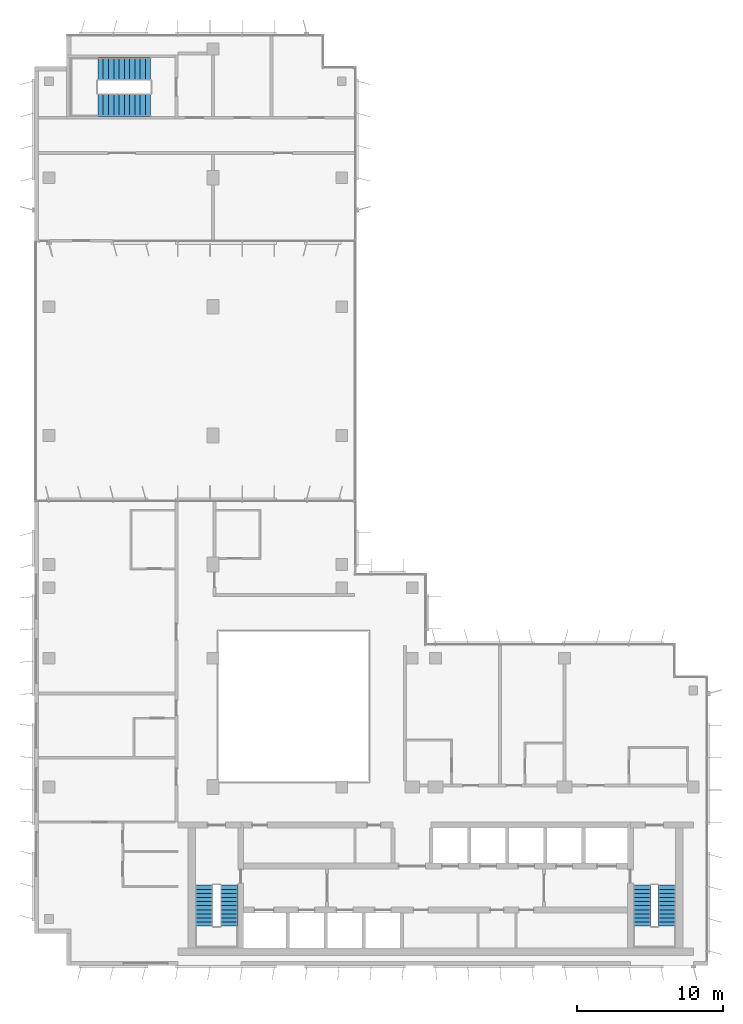
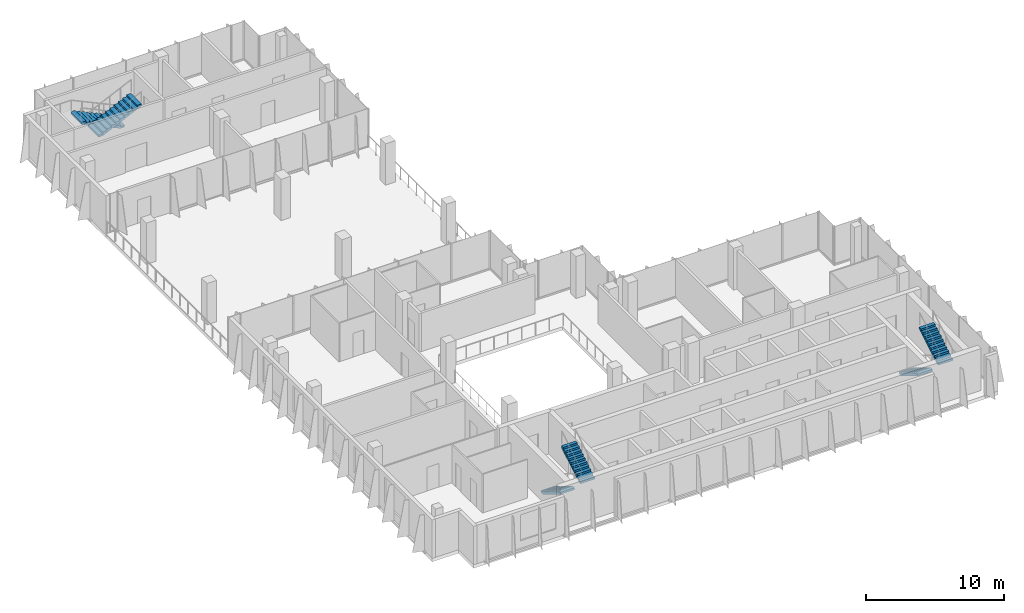
# One storey, part 12 of 15: 6 stair flights, 3 elements without a shape of their own.
"""IFC4 building model written with IfcOpenShell, lengths in metres."""

from ifc_helpers import new_model, si_unit, direction, frame, origin, place, context, subcontext, project, spatial, polyline, outline, extrude, material, type_object, element, aggregate, save


model = new_model("IFC4")

# Units and contexts
model_context = context("Model", 3, precision=1e-05, world=origin(), true_north=direction((0.0, 1.0)))
body_context = subcontext(model_context, "Body", "Model", "MODEL_VIEW")
ifc_project = project(units=[si_unit("LENGTHUNIT", "METRE"), si_unit("AREAUNIT", "SQUARE_METRE"), si_unit("VOLUMEUNIT", "CUBIC_METRE"), si_unit("PLANEANGLEUNIT", "RADIAN"), si_unit("MASSUNIT", "GRAM", prefix="KILO")], contexts=[model_context])

# Site, building, storey
site_placement = place(None, origin())
site = spatial("IfcSite", under=ifc_project, at=site_placement, CompositionType="ELEMENT")
building_placement = place(site_placement, origin())
building = spatial("IfcBuilding", under=site, at=building_placement, Name="Kemantara Hotel Tower", CompositionType="ELEMENT")
storey_placement = place(building_placement, frame((0.0, 0.0, 241.300048828125)))
storey = spatial("IfcBuildingStorey", under=building, at=storey_placement, Name="L60", CompositionType="ELEMENT", Elevation=241.300048828125)

# Stair, stair flights
ifc_material = material(Name="Concrete fc 40 MPa", Category="concrete")
stair_type_1 = type_object("IfcStairType", Name="Stair 1200 wide 22 risers of 168 x 280 mm", PredefinedType="HALF_TURN_STAIR", material=ifc_material)
stair_1_placement = place(storey_placement, origin())
stair_1 = element("IfcStair", 1, at=stair_1_placement, inside=storey, type_object=stair_type_1, Name="L60 Exit stair ST1", PredefinedType="HALF_TURN_STAIR")
stair_flight_type_1 = type_object("IfcStairFlightType", Name="Stair flight 1200 wide 168 x 280 mm", PredefinedType="STRAIGHT", material=ifc_material)
stair_flight_1_placement = place(storey_placement, frame((11.60009765625, 5.5, 0.0), z_axis=(0.0, 0.0, 1.0), x_axis=(0.0, -1.0, 0.0)))
stair_flight_1 = element("IfcStairFlight", 2, at=stair_flight_1_placement, type_object=stair_flight_type_1, Name="ST1 flight 1", NumberOfRisers=11, NumberOfTreads=10, PredefinedType="STRAIGHT", RiserHeight=0.168181818, TreadLength=0.28, context=body_context, shape_type="SweptSolid", body=[
    extrude(outline(polyline([(0.0, 0.0), (0.0, 0.168212890625), (0.280029296875, 0.168212890625), (0.280029296875, 0.33642578125), (0.56005859375, 0.33642578125), (0.56005859375, 0.504638671875), (0.840087890625, 0.504638671875), (0.840087890625, 0.672607421875), (1.1201171875, 0.672607421875), (1.1201171875, 0.8408203125), (1.39990234375, 0.8408203125), (1.39990234375, 1.009033203125), (1.679931640625, 1.009033203125), (1.679931640625, 1.17724609375), (1.9599609375, 1.17724609375), (1.9599609375, 1.345458984375), (2.239990234375, 1.345458984375), (2.239990234375, 1.513671875), (2.52001953125, 1.513671875), (2.52001953125, 1.681884765625), (2.800048828125, 1.681884765625), (2.800048828125, 1.85009765625), (2.800048828125, 1.5068359375), (0.291015625, 0.0), (0.0, 0.0)])), frame((0.0, 0.60009765625, 0.0), z_axis=(0.0, -1.0, 0.0), x_axis=(1.0, 0.0, 0.0)), (0.0, 0.0, 1.0), 1.199951171875),
])
stair_flight_2_placement = place(storey_placement, frame((13.300048828125, 2.699951171875, 1.849853515625), z_axis=(0.0, 0.0, 1.0), x_axis=(0.0, 1.0, 0.0)))
stair_flight_2 = element("IfcStairFlight", 3, at=stair_flight_2_placement, type_object=stair_flight_type_1, Name="ST1 flight 2", NumberOfRisers=11, NumberOfTreads=10, PredefinedType="STRAIGHT", RiserHeight=0.168181818, TreadLength=0.28, context=body_context, shape_type="SweptSolid", body=[
    extrude(outline(polyline([(0.0, 0.0), (0.0, 0.168212890625), (0.280029296875, 0.168212890625), (0.280029296875, 0.33642578125), (0.56005859375, 0.33642578125), (0.56005859375, 0.504638671875), (0.840087890625, 0.504638671875), (0.840087890625, 0.672607421875), (1.1201171875, 0.672607421875), (1.1201171875, 0.8408203125), (1.39990234375, 0.8408203125), (1.39990234375, 1.009033203125), (1.679931640625, 1.009033203125), (1.679931640625, 1.17724609375), (1.9599609375, 1.17724609375), (1.9599609375, 1.345458984375), (2.239990234375, 1.345458984375), (2.239990234375, 1.513671875), (2.52001953125, 1.513671875), (2.52001953125, 1.681884765625), (2.800048828125, 1.681884765625), (2.800048828125, 1.85009765625), (2.800048828125, 1.5068359375), (0.291015625, 0.0), (0.0, 0.0)])), frame((0.0, 0.60009765625, 0.0), z_axis=(0.0, -1.0, 0.0), x_axis=(1.0, 0.0, 0.0)), (0.0, 0.0, 1.0), 1.199951171875),
])
aggregate(stair_1, [stair_flight_1, stair_flight_2])

stair_2_placement = place(storey_placement, origin())
stair_2 = element("IfcStair", 4, at=stair_2_placement, inside=storey, type_object=stair_type_1, Name="L60 Exit stair ST2", PredefinedType="HALF_TURN_STAIR")
stair_flight_3_placement = place(storey_placement, frame((41.5, 5.5, 0.0), z_axis=(0.0, 0.0, 1.0), x_axis=(0.0, -1.0, 0.0)))
stair_flight_3 = element("IfcStairFlight", 5, at=stair_flight_3_placement, type_object=stair_flight_type_1, Name="ST2 flight 1", NumberOfRisers=11, NumberOfTreads=10, PredefinedType="STRAIGHT", RiserHeight=0.168181818, TreadLength=0.28, context=body_context, shape_type="SweptSolid", body=[
    extrude(outline(polyline([(0.0, 0.0), (0.0, 0.168212890625), (0.280029296875, 0.168212890625), (0.280029296875, 0.33642578125), (0.56005859375, 0.33642578125), (0.56005859375, 0.504638671875), (0.840087890625, 0.504638671875), (0.840087890625, 0.672607421875), (1.1201171875, 0.672607421875), (1.1201171875, 0.8408203125), (1.39990234375, 0.8408203125), (1.39990234375, 1.009033203125), (1.679931640625, 1.009033203125), (1.679931640625, 1.17724609375), (1.9599609375, 1.17724609375), (1.9599609375, 1.345458984375), (2.239990234375, 1.345458984375), (2.239990234375, 1.513671875), (2.52001953125, 1.513671875), (2.52001953125, 1.681884765625), (2.800048828125, 1.681884765625), (2.800048828125, 1.85009765625), (2.800048828125, 1.5068359375), (0.291015625, 0.0), (0.0, 0.0)])), frame((0.0, 0.60009765625, 0.0), z_axis=(0.0, -1.0, 0.0), x_axis=(1.0, 0.0, 0.0)), (0.0, 0.0, 1.0), 1.199951171875),
])
stair_flight_4_placement = place(storey_placement, frame((43.199951171875, 2.699951171875, 1.849853515625), z_axis=(0.0, 0.0, 1.0), x_axis=(0.0, 1.0, 0.0)))
stair_flight_4 = element("IfcStairFlight", 6, at=stair_flight_4_placement, type_object=stair_flight_type_1, Name="ST2 flight 2", NumberOfRisers=11, NumberOfTreads=10, PredefinedType="STRAIGHT", RiserHeight=0.168181818, TreadLength=0.28, context=body_context, shape_type="SweptSolid", body=[
    extrude(outline(polyline([(0.0, 0.0), (0.0, 0.168212890625), (0.280029296875, 0.168212890625), (0.280029296875, 0.33642578125), (0.56005859375, 0.33642578125), (0.56005859375, 0.504638671875), (0.840087890625, 0.504638671875), (0.840087890625, 0.672607421875), (1.1201171875, 0.672607421875), (1.1201171875, 0.8408203125), (1.39990234375, 0.8408203125), (1.39990234375, 1.009033203125), (1.679931640625, 1.009033203125), (1.679931640625, 1.17724609375), (1.9599609375, 1.17724609375), (1.9599609375, 1.345458984375), (2.239990234375, 1.345458984375), (2.239990234375, 1.513671875), (2.52001953125, 1.513671875), (2.52001953125, 1.681884765625), (2.800048828125, 1.681884765625), (2.800048828125, 1.85009765625), (2.800048828125, 1.5068359375), (0.291015625, 0.0), (0.0, 0.0)])), frame((0.0, 0.60009765625, 0.0), z_axis=(0.0, -1.0, 0.0), x_axis=(1.0, 0.0, 0.0)), (0.0, 0.0, 1.0), 1.199951171875),
])
aggregate(stair_2, [stair_flight_3, stair_flight_4])

stair_type_2 = type_object("IfcStairType", Name="Stair 1550 wide 22 risers of 168 x 360 mm", PredefinedType="HALF_TURN_STAIR", material=ifc_material)
stair_3_placement = place(storey_placement, origin())
stair_3 = element("IfcStair", 7, at=stair_3_placement, inside=storey, type_object=stair_type_2, Name="L60 Exit stair ST4", PredefinedType="HALF_TURN_STAIR")
stair_flight_type_2 = type_object("IfcStairFlightType", Name="Stair flight 1550 wide 168 x 360 mm", PredefinedType="STRAIGHT", material=ifc_material)
stair_flight_5_placement = place(storey_placement, frame((7.949951171875, 61.22509765625, 0.0), z_axis=(0.0, 0.0, 1.0), x_axis=(-1.0, 0.0, 0.0)))
stair_flight_5 = element("IfcStairFlight", 8, at=stair_flight_5_placement, type_object=stair_flight_type_2, Name="ST4 flight 1", NumberOfRisers=11, NumberOfTreads=10, PredefinedType="STRAIGHT", RiserHeight=0.168181818, TreadLength=0.36, context=body_context, shape_type="SweptSolid", body=[
    extrude(outline(polyline([(0.0, 0.0), (0.0, 0.168212890625), (0.360107421875, 0.168212890625), (0.360107421875, 0.33642578125), (0.719970703125, 0.33642578125), (0.719970703125, 0.504638671875), (1.080078125, 0.504638671875), (1.080078125, 0.672607421875), (1.43994140625, 0.672607421875), (1.43994140625, 0.8408203125), (1.800048828125, 0.8408203125), (1.800048828125, 1.009033203125), (2.159912109375, 1.009033203125), (2.159912109375, 1.17724609375), (2.52001953125, 1.17724609375), (2.52001953125, 1.345458984375), (2.8798828125, 1.345458984375), (2.8798828125, 1.513671875), (3.239990234375, 1.513671875), (3.239990234375, 1.681884765625), (3.60009765625, 1.681884765625), (3.60009765625, 1.85009765625), (3.60009765625, 1.516357421875), (0.354248046875, 0.0), (0.0, 0.0)])), frame((0.0, 0.77490234375, 0.0), z_axis=(0.0, -1.0, 0.0), x_axis=(1.0, 0.0, 0.0)), (0.0, 0.0, 1.0), 1.550048828125),
])
stair_flight_6_placement = place(storey_placement, frame((4.35009765625, 58.77490234375, 1.849853515625), z_axis=(0.0, 0.0, 1.0), x_axis=(1.0, 0.0, 0.0)))
stair_flight_6 = element("IfcStairFlight", 9, at=stair_flight_6_placement, type_object=stair_flight_type_2, Name="ST4 flight 2", NumberOfRisers=11, NumberOfTreads=10, PredefinedType="STRAIGHT", RiserHeight=0.168181818, TreadLength=0.36, context=body_context, shape_type="SweptSolid", body=[
    extrude(outline(polyline([(0.0, 0.0), (0.0, 0.168212890625), (0.360107421875, 0.168212890625), (0.360107421875, 0.33642578125), (0.719970703125, 0.33642578125), (0.719970703125, 0.504638671875), (1.080078125, 0.504638671875), (1.080078125, 0.672607421875), (1.43994140625, 0.672607421875), (1.43994140625, 0.8408203125), (1.800048828125, 0.8408203125), (1.800048828125, 1.009033203125), (2.159912109375, 1.009033203125), (2.159912109375, 1.17724609375), (2.52001953125, 1.17724609375), (2.52001953125, 1.345458984375), (2.8798828125, 1.345458984375), (2.8798828125, 1.513671875), (3.239990234375, 1.513671875), (3.239990234375, 1.681884765625), (3.60009765625, 1.681884765625), (3.60009765625, 1.85009765625), (3.60009765625, 1.516357421875), (0.354248046875, 0.0), (0.0, 0.0)])), frame((0.0, 0.77490234375, 0.0), z_axis=(0.0, -1.0, 0.0), x_axis=(1.0, 0.0, 0.0)), (0.0, 0.0, 1.0), 1.550048828125),
])
aggregate(stair_3, [stair_flight_5, stair_flight_6])

save(model, "model.ifc")
